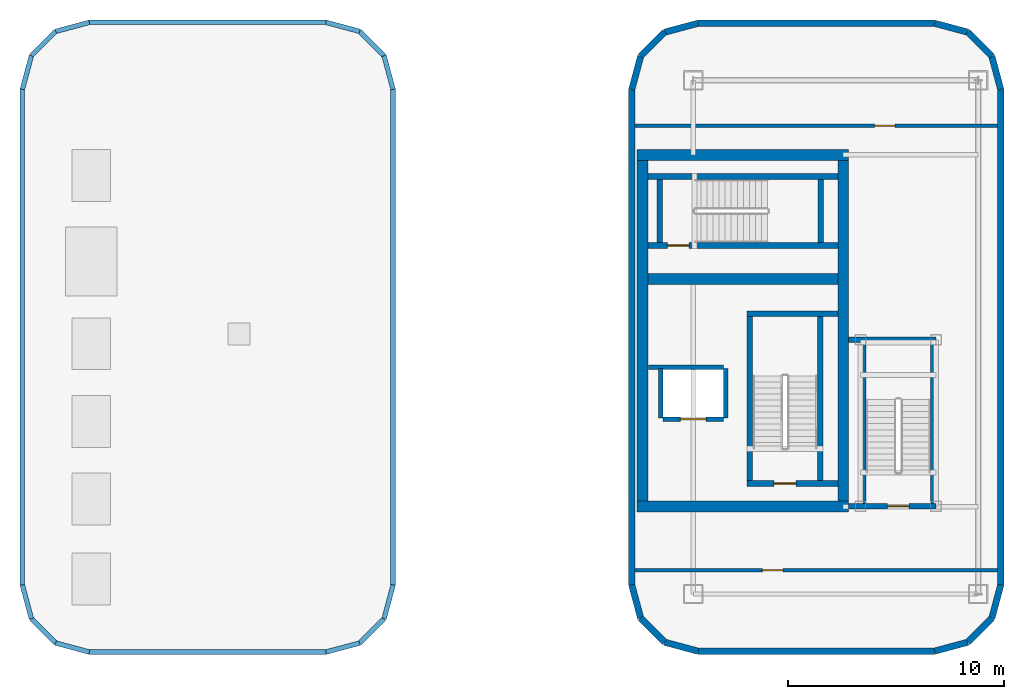
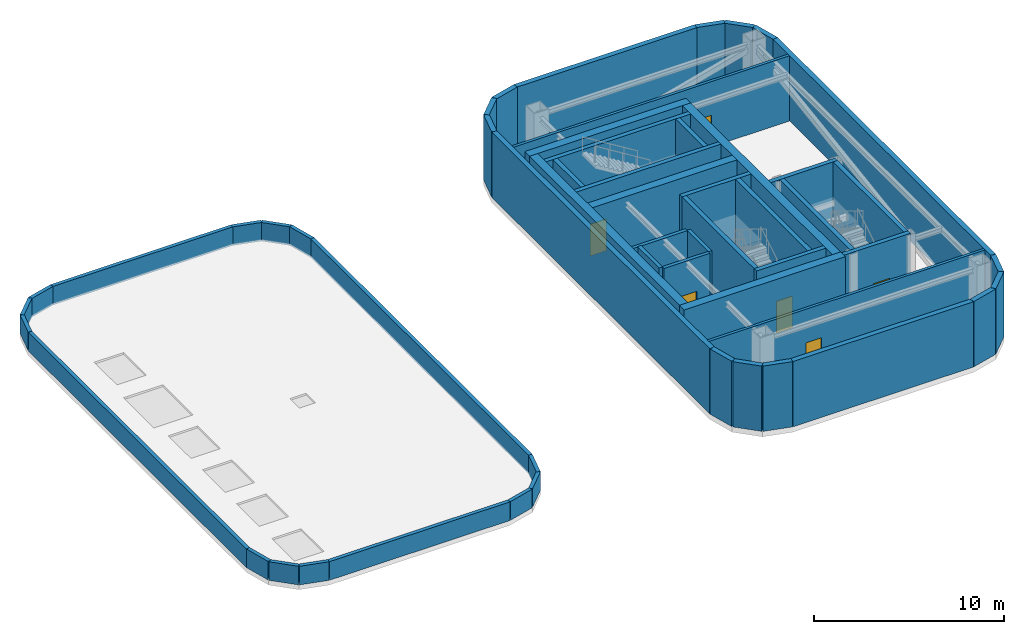
# One storey, part 3 of 6: 55 walls, 6 doors, 6 openings.
"""IFC4 building model written with IfcOpenShell, lengths in metres."""

from ifc_helpers import new_model, si_unit, direction, frame, frame_2d, origin, place, context, subcontext, project, spatial, rectangle, extrude, material, layer, layer_set, type_object, element, fill, save


model = new_model("IFC4")

# Units and contexts
model_context = context("Model", 3, precision=1e-05, world=origin(), true_north=direction((0.0, 1.0)))
body_context = subcontext(model_context, "Body", "Model", "MODEL_VIEW")
ifc_project = project(units=[si_unit("LENGTHUNIT", "METRE"), si_unit("AREAUNIT", "SQUARE_METRE"), si_unit("VOLUMEUNIT", "CUBIC_METRE"), si_unit("PLANEANGLEUNIT", "RADIAN"), si_unit("MASSUNIT", "GRAM", prefix="KILO")], contexts=[model_context])

# Site, building, storey
site_placement = place(None, origin())
site = spatial("IfcSite", under=ifc_project, at=site_placement, CompositionType="ELEMENT")
building_placement = place(site_placement, origin())
building = spatial("IfcBuilding", under=site, at=building_placement, Name="Kiyonajd Concourse Tower", CompositionType="ELEMENT")
storey_placement = place(building_placement, frame((0.0, 0.0, 368.39990234375)))
storey = spatial("IfcBuildingStorey", under=building, at=storey_placement, Name="L92", CompositionType="ELEMENT", Elevation=368.39990234375)

# Walls
ifc_material_1 = material(Name="Concrete C60/75", Category="concrete")
ifc_layer_1 = layer(ifc_material_1, 0.5)
ifc_layer_set_1 = layer_set([ifc_layer_1], Name="Concrete C60/75")
wall_type_1 = type_object("IfcWallType", Name="WL-CORE-500", PredefinedType="SHEAR", material=ifc_layer_set_1)
for number, where, z_axis, x_axis, name in (
    (1, (54.050048828125, 28.10009765625, 0.0), (0.0, 0.0, 1.0), (0.0, 1.0, 0.0), "L92 East Crown Inner Core Wall"),
    (2, (63.35009765625, 28.10009765625, 0.0), (0.0, 0.0, 1.0), (0.0, 1.0, 0.0), "L92 East Crown Outer Core Wall"),
):
    element("IfcWall", number, at=place(storey_placement, frame(where, z_axis=z_axis, x_axis=x_axis)), inside=storey, type_object=wall_type_1, Name=name, PredefinedType="SHEAR", context=body_context, shape_type="SweptSolid", body=[
        extrude(rectangle(XDim=15.7998046875, YDim=0.5, at=frame_2d((7.89990234375, 0.0))), origin(), (0.0, 0.0, 1.0), 4.5),
    ])
for number, where, z_axis, x_axis, name in (
    (3, (53.800048828125, 27.85009765625, 0.0), (0.0, 0.0, 1.0), (1.0, 0.0, 0.0), "L92 East Crown South Core Wall"),
    (4, (53.800048828125, 44.14990234375, 0.0), (0.0, 0.0, 1.0), (1.0, 0.0, 0.0), "L92 East Crown North Core Wall"),
):
    element("IfcWall", number, at=place(storey_placement, frame(where, z_axis=z_axis, x_axis=x_axis)), inside=storey, type_object=wall_type_1, Name=name, PredefinedType="SHEAR", context=body_context, shape_type="SweptSolid", body=[
        extrude(rectangle(XDim=9.800048828125, YDim=0.5, at=frame_2d((4.89990234375, 0.0))), origin(), (0.0, 0.0, 1.0), 4.5),
    ])
wall_1_placement = place(storey_placement, frame((54.300048828125, 38.39990234375, 0.0), z_axis=(0.0, 0.0, 1.0), x_axis=(1.0, 0.0, 0.0)))
element("IfcWall", 5, at=wall_1_placement, inside=storey, type_object=wall_type_1, Name="L92 East Crown Mast Cross Shear Wall", PredefinedType="SHEAR", context=body_context, shape_type="SweptSolid", body=[
    extrude(rectangle(XDim=8.800048828125, YDim=0.5, at=frame_2d((4.39990234375, 0.0))), origin(), (0.0, 0.0, 1.0), 4.5),
])
ifc_material_2 = material(Name="Precast concrete C50/60", Category="concrete")
ifc_layer_2 = layer(ifc_material_2, 0.300048828125)
ifc_layer_set_2 = layer_set([ifc_layer_2], Name="Precast concrete C50/60")
wall_type_2 = type_object("IfcWallType", Name="WL-CRN-300", PredefinedType="SOLIDWALL", material=ifc_layer_set_2)
wall_2_placement = place(storey_placement, frame((53.550048828125, 24.2197265625, 0.0), z_axis=(0.0, 0.0, 1.0), x_axis=(0.0, 1.0, 0.0)))
element("IfcWall", 6, at=wall_2_placement, inside=storey, type_object=wall_type_2, Name="L92 East Crown Enclosure Wall 01", PredefinedType="SOLIDWALL", context=body_context, shape_type="SweptSolid", body=[
    extrude(rectangle(XDim=22.96044921875, YDim=0.300048828125, at=frame_2d((11.480224609375, 0.0))), origin(), (0.0, 0.0, 1.0), 4.2001953125),
])
wall_3_placement = place(storey_placement, frame((53.550048828125, 47.18017578125, 0.0), z_axis=(0.0, 0.0, 1.0), x_axis=(0.258871110129, 0.965911874003, 0.0)))
element("IfcWall", 7, at=wall_3_placement, inside=storey, type_object=wall_type_2, Name="L92 East Crown Enclosure Wall 02", PredefinedType="SOLIDWALL", context=body_context, shape_type="SweptSolid", body=[
    extrude(rectangle(XDim=1.5966796875, YDim=0.300048828125, at=frame_2d((0.79833984375, 0.0))), origin(), (0.0, 0.0, 1.0), 4.2001953125),
])
wall_4_placement = place(storey_placement, frame((53.96337890625, 48.722412109375, 0.0), z_axis=(0.0, 0.0, 1.0), x_axis=(0.707184251115, 0.707029302769, 0.0)))
element("IfcWall", 8, at=wall_4_placement, inside=storey, type_object=wall_type_2, Name="L92 East Crown Enclosure Wall 03", PredefinedType="SOLIDWALL", context=body_context, shape_type="SweptSolid", body=[
    extrude(rectangle(XDim=1.57568359375, YDim=0.300048828125, at=frame_2d((0.787841796875, 0.0))), origin(), (0.0, 0.0, 1.0), 4.2001953125),
])
wall_5_placement = place(storey_placement, frame((55.07763671875, 49.83642578125, 0.0), z_axis=(0.0, 0.0, 1.0), x_axis=(0.96587363116, 0.259013761467, 0.0)))
element("IfcWall", 9, at=wall_5_placement, inside=storey, type_object=wall_type_2, Name="L92 East Crown Enclosure Wall 04", PredefinedType="SOLIDWALL", context=body_context, shape_type="SweptSolid", body=[
    extrude(rectangle(XDim=1.5966796875, YDim=0.300048828125, at=frame_2d((0.79833984375, 0.0))), origin(), (0.0, 0.0, 1.0), 4.2001953125),
])
wall_6_placement = place(storey_placement, frame((56.619873046875, 50.25, 0.0), z_axis=(0.0, 0.0, 1.0), x_axis=(1.0, 0.0, 0.0)))
element("IfcWall", 10, at=wall_6_placement, inside=storey, type_object=wall_type_2, Name="L92 East Crown Enclosure Wall 05", PredefinedType="SOLIDWALL", context=body_context, shape_type="SweptSolid", body=[
    extrude(rectangle(XDim=10.960205078125, YDim=0.300048828125, at=frame_2d((5.47998046875, 0.0))), origin(), (0.0, 0.0, 1.0), 4.2001953125),
])
wall_7_placement = place(storey_placement, frame((67.580078125, 50.25, 0.0), z_axis=(0.0, 0.0, 1.0), x_axis=(0.96587363116, -0.259013761467, 0.0)))
element("IfcWall", 11, at=wall_7_placement, inside=storey, type_object=wall_type_2, Name="L92 East Crown Enclosure Wall 06", PredefinedType="SOLIDWALL", context=body_context, shape_type="SweptSolid", body=[
    extrude(rectangle(XDim=1.5966796875, YDim=0.300048828125, at=frame_2d((0.79833984375, 0.0))), origin(), (0.0, 0.0, 1.0), 4.2001953125),
])
wall_8_placement = place(storey_placement, frame((69.122314453125, 49.83642578125, 0.0), z_axis=(0.0, 0.0, 1.0), x_axis=(0.707184251115, -0.707029302769, 0.0)))
element("IfcWall", 12, at=wall_8_placement, inside=storey, type_object=wall_type_2, Name="L92 East Crown Enclosure Wall 07", PredefinedType="SOLIDWALL", context=body_context, shape_type="SweptSolid", body=[
    extrude(rectangle(XDim=1.57568359375, YDim=0.300048828125, at=frame_2d((0.787841796875, 0.0))), origin(), (0.0, 0.0, 1.0), 4.2001953125),
])
wall_9_placement = place(storey_placement, frame((70.236572265625, 48.722412109375, 0.0), z_axis=(0.0, 0.0, 1.0), x_axis=(0.258871110129, -0.965911874003, 0.0)))
element("IfcWall", 13, at=wall_9_placement, inside=storey, type_object=wall_type_2, Name="L92 East Crown Enclosure Wall 08", PredefinedType="SOLIDWALL", context=body_context, shape_type="SweptSolid", body=[
    extrude(rectangle(XDim=1.5966796875, YDim=0.300048828125, at=frame_2d((0.79833984375, 0.0))), origin(), (0.0, 0.0, 1.0), 4.2001953125),
])
wall_10_placement = place(storey_placement, frame((70.64990234375, 47.18017578125, 0.0), z_axis=(0.0, 0.0, 1.0), x_axis=(0.0, -1.0, 0.0)))
element("IfcWall", 14, at=wall_10_placement, inside=storey, type_object=wall_type_2, Name="L92 East Crown Enclosure Wall 09", PredefinedType="SOLIDWALL", context=body_context, shape_type="SweptSolid", body=[
    extrude(rectangle(XDim=22.96044921875, YDim=0.300048828125, at=frame_2d((11.480224609375, 0.0))), origin(), (0.0, 0.0, 1.0), 4.2001953125),
])
wall_11_placement = place(storey_placement, frame((70.64990234375, 24.2197265625, 0.0), z_axis=(0.0, 0.0, 1.0), x_axis=(-0.258909349397, -0.965901624802, 0.0)))
element("IfcWall", 15, at=wall_11_placement, inside=storey, type_object=wall_type_2, Name="L92 East Crown Enclosure Wall 10", PredefinedType="SOLIDWALL", context=body_context, shape_type="SweptSolid", body=[
    extrude(rectangle(XDim=1.596435546875, YDim=0.300048828125, at=frame_2d((0.79833984375, 0.0))), origin(), (0.0, 0.0, 1.0), 4.2001953125),
])
wall_12_placement = place(storey_placement, frame((70.236572265625, 22.677734375, 0.0), z_axis=(0.0, 0.0, 1.0), x_axis=(-0.707106781187, -0.707106781187, 0.0)))
element("IfcWall", 16, at=wall_12_placement, inside=storey, type_object=wall_type_2, Name="L92 East Crown Enclosure Wall 11", PredefinedType="SOLIDWALL", context=body_context, shape_type="SweptSolid", body=[
    extrude(rectangle(XDim=1.57568359375, YDim=0.300048828125, at=frame_2d((0.787841796875, 0.0))), origin(), (0.0, 0.0, 1.0), 4.2001953125),
])
wall_13_placement = place(storey_placement, frame((69.122314453125, 21.5634765625, 0.0), z_axis=(0.0, 0.0, 1.0), x_axis=(-0.96587363116, -0.259013761467, 0.0)))
element("IfcWall", 17, at=wall_13_placement, inside=storey, type_object=wall_type_2, Name="L92 East Crown Enclosure Wall 12", PredefinedType="SOLIDWALL", context=body_context, shape_type="SweptSolid", body=[
    extrude(rectangle(XDim=1.5966796875, YDim=0.300048828125, at=frame_2d((0.79833984375, 0.0))), origin(), (0.0, 0.0, 1.0), 4.2001953125),
])
wall_14_placement = place(storey_placement, frame((67.580078125, 21.14990234375, 0.0), z_axis=(0.0, 0.0, 1.0), x_axis=(-1.0, 0.0, 0.0)))
element("IfcWall", 18, at=wall_14_placement, inside=storey, type_object=wall_type_2, Name="L92 East Crown Enclosure Wall 13", PredefinedType="SOLIDWALL", context=body_context, shape_type="SweptSolid", body=[
    extrude(rectangle(XDim=10.960205078125, YDim=0.300048828125, at=frame_2d((5.47998046875, 0.0))), origin(), (0.0, 0.0, 1.0), 4.2001953125),
])
wall_15_placement = place(storey_placement, frame((56.619873046875, 21.14990234375, 0.0), z_axis=(0.0, 0.0, 1.0), x_axis=(-0.96587363116, 0.259013761467, 0.0)))
element("IfcWall", 19, at=wall_15_placement, inside=storey, type_object=wall_type_2, Name="L92 East Crown Enclosure Wall 14", PredefinedType="SOLIDWALL", context=body_context, shape_type="SweptSolid", body=[
    extrude(rectangle(XDim=1.5966796875, YDim=0.300048828125, at=frame_2d((0.79833984375, 0.0))), origin(), (0.0, 0.0, 1.0), 4.2001953125),
])
wall_16_placement = place(storey_placement, frame((55.07763671875, 21.5634765625, 0.0), z_axis=(0.0, 0.0, 1.0), x_axis=(-0.707106781187, 0.707106781187, 0.0)))
element("IfcWall", 20, at=wall_16_placement, inside=storey, type_object=wall_type_2, Name="L92 East Crown Enclosure Wall 15", PredefinedType="SOLIDWALL", context=body_context, shape_type="SweptSolid", body=[
    extrude(rectangle(XDim=1.57568359375, YDim=0.300048828125, at=frame_2d((0.787841796875, 0.0))), origin(), (0.0, 0.0, 1.0), 4.2001953125),
])
wall_17_placement = place(storey_placement, frame((53.96337890625, 22.677734375, 0.0), z_axis=(0.0, 0.0, 1.0), x_axis=(-0.258909349397, 0.965901624802, 0.0)))
element("IfcWall", 21, at=wall_17_placement, inside=storey, type_object=wall_type_2, Name="L92 East Crown Enclosure Wall 16", PredefinedType="SOLIDWALL", context=body_context, shape_type="SweptSolid", body=[
    extrude(rectangle(XDim=1.596435546875, YDim=0.300048828125, at=frame_2d((0.79833984375, 0.0))), origin(), (0.0, 0.0, 1.0), 4.2001953125),
])
ifc_layer_3 = layer(ifc_material_2, 0.219970703125)
ifc_layer_set_3 = layer_set([ifc_layer_3], Name="Precast concrete C50/60")
wall_type_3 = type_object("IfcWallType", Name="WL-PAR-220", PredefinedType="PARAPET", material=ifc_layer_set_3)
wall_18_placement = place(storey_placement, frame((25.31005859375, 24.214599609375, 0.0), z_axis=(0.0, 0.0, 1.0), x_axis=(0.0, 1.0, 0.0)))
element("IfcWall", 22, at=wall_18_placement, inside=storey, type_object=wall_type_3, Name="L92 Roof Parapet Wall 01", PredefinedType="PARAPET", context=body_context, shape_type="SweptSolid", body=[
    extrude(rectangle(XDim=22.970947265625, YDim=0.219970703125, at=frame_2d((11.4853515625, 0.0))), origin(), (0.0, 0.0, 1.0), 1.2001953125),
])
wall_19_placement = place(storey_placement, frame((25.31005859375, 47.185546875, 0.0), z_axis=(0.0, 0.0, 1.0), x_axis=(0.258887433163, 0.965907499169, 0.0)))
element("IfcWall", 23, at=wall_19_placement, inside=storey, type_object=wall_type_3, Name="L92 Roof Parapet Wall 02", PredefinedType="PARAPET", context=body_context, shape_type="SweptSolid", body=[
    extrude(rectangle(XDim=1.612548828125, YDim=0.219970703125, at=frame_2d((0.80615234375, 0.0))), origin(), (0.0, 0.0, 1.0), 1.2001953125),
])
wall_20_placement = place(storey_placement, frame((25.7275390625, 48.7431640625, 0.0), z_axis=(0.0, 0.0, 1.0), x_axis=(0.707183212768, 0.707030341343, 0.0)))
element("IfcWall", 24, at=wall_20_placement, inside=storey, type_object=wall_type_3, Name="L92 Roof Parapet Wall 03", PredefinedType="PARAPET", context=body_context, shape_type="SweptSolid", body=[
    extrude(rectangle(XDim=1.596923828125, YDim=0.219970703125, at=frame_2d((0.79833984375, 0.0))), origin(), (0.0, 0.0, 1.0), 1.2001953125),
])
wall_21_placement = place(storey_placement, frame((26.85693359375, 49.872314453125, 0.0), z_axis=(0.0, 0.0, 1.0), x_axis=(0.965869632003, 0.259028674037, 0.0)))
element("IfcWall", 25, at=wall_21_placement, inside=storey, type_object=wall_type_3, Name="L92 Roof Parapet Wall 04", PredefinedType="PARAPET", context=body_context, shape_type="SweptSolid", body=[
    extrude(rectangle(XDim=1.612548828125, YDim=0.219970703125, at=frame_2d((0.80615234375, 0.0))), origin(), (0.0, 0.0, 1.0), 1.2001953125),
])
wall_22_placement = place(storey_placement, frame((28.41455078125, 50.2900390625, 0.0), z_axis=(0.0, 0.0, 1.0), x_axis=(1.0, 0.0, 0.0)))
element("IfcWall", 26, at=wall_22_placement, inside=storey, type_object=wall_type_3, Name="L92 Roof Parapet Wall 05", PredefinedType="PARAPET", context=body_context, shape_type="SweptSolid", body=[
    extrude(rectangle(XDim=10.970947265625, YDim=0.219970703125, at=frame_2d((5.4853515625, 0.0))), origin(), (0.0, 0.0, 1.0), 1.2001953125),
])
wall_23_placement = place(storey_placement, frame((39.385498046875, 50.2900390625, 0.0), z_axis=(0.0, 0.0, 1.0), x_axis=(0.965869632003, -0.259028674037, 0.0)))
element("IfcWall", 27, at=wall_23_placement, inside=storey, type_object=wall_type_3, Name="L92 Roof Parapet Wall 06", PredefinedType="PARAPET", context=body_context, shape_type="SweptSolid", body=[
    extrude(rectangle(XDim=1.612548828125, YDim=0.219970703125, at=frame_2d((0.80615234375, 0.0))), origin(), (0.0, 0.0, 1.0), 1.2001953125),
])
wall_24_placement = place(storey_placement, frame((40.943115234375, 49.872314453125, 0.0), z_axis=(0.0, 0.0, 1.0), x_axis=(0.707183212768, -0.707030341343, 0.0)))
element("IfcWall", 28, at=wall_24_placement, inside=storey, type_object=wall_type_3, Name="L92 Roof Parapet Wall 07", PredefinedType="PARAPET", context=body_context, shape_type="SweptSolid", body=[
    extrude(rectangle(XDim=1.596923828125, YDim=0.219970703125, at=frame_2d((0.79833984375, 0.0))), origin(), (0.0, 0.0, 1.0), 1.2001953125),
])
wall_25_placement = place(storey_placement, frame((42.072509765625, 48.7431640625, 0.0), z_axis=(0.0, 0.0, 1.0), x_axis=(0.258887433163, -0.965907499169, 0.0)))
element("IfcWall", 29, at=wall_25_placement, inside=storey, type_object=wall_type_3, Name="L92 Roof Parapet Wall 08", PredefinedType="PARAPET", context=body_context, shape_type="SweptSolid", body=[
    extrude(rectangle(XDim=1.612548828125, YDim=0.219970703125, at=frame_2d((0.80615234375, 0.0))), origin(), (0.0, 0.0, 1.0), 1.2001953125),
])
wall_26_placement = place(storey_placement, frame((42.489990234375, 47.185546875, 0.0), z_axis=(0.0, 0.0, 1.0), x_axis=(0.0, -1.0, 0.0)))
element("IfcWall", 30, at=wall_26_placement, inside=storey, type_object=wall_type_3, Name="L92 Roof Parapet Wall 09", PredefinedType="PARAPET", context=body_context, shape_type="SweptSolid", body=[
    extrude(rectangle(XDim=22.970947265625, YDim=0.219970703125, at=frame_2d((11.4853515625, 0.0))), origin(), (0.0, 0.0, 1.0), 1.2001953125),
])
wall_27_placement = place(storey_placement, frame((42.489990234375, 24.214599609375, 0.0), z_axis=(0.0, 0.0, 1.0), x_axis=(-0.258887433163, -0.965907499169, 0.0)))
element("IfcWall", 31, at=wall_27_placement, inside=storey, type_object=wall_type_3, Name="L92 Roof Parapet Wall 10", PredefinedType="PARAPET", context=body_context, shape_type="SweptSolid", body=[
    extrude(rectangle(XDim=1.612548828125, YDim=0.219970703125, at=frame_2d((0.80615234375, 0.0))), origin(), (0.0, 0.0, 1.0), 1.2001953125),
])
wall_28_placement = place(storey_placement, frame((42.072509765625, 22.656982421875, 0.0), z_axis=(0.0, 0.0, 1.0), x_axis=(-0.707106781187, -0.707106781187, 0.0)))
element("IfcWall", 32, at=wall_28_placement, inside=storey, type_object=wall_type_3, Name="L92 Roof Parapet Wall 11", PredefinedType="PARAPET", context=body_context, shape_type="SweptSolid", body=[
    extrude(rectangle(XDim=1.59716796875, YDim=0.219970703125, at=frame_2d((0.798583984375, 0.0))), origin(), (0.0, 0.0, 1.0), 1.2001953125),
])
wall_29_placement = place(storey_placement, frame((40.943115234375, 21.527587890625, 0.0), z_axis=(0.0, 0.0, 1.0), x_axis=(-0.965907499169, -0.258887433163, 0.0)))
element("IfcWall", 33, at=wall_29_placement, inside=storey, type_object=wall_type_3, Name="L92 Roof Parapet Wall 12", PredefinedType="PARAPET", context=body_context, shape_type="SweptSolid", body=[
    extrude(rectangle(XDim=1.612548828125, YDim=0.219970703125, at=frame_2d((0.80615234375, 0.0))), origin(), (0.0, 0.0, 1.0), 1.2001953125),
])
wall_30_placement = place(storey_placement, frame((39.385498046875, 21.110107421875, 0.0), z_axis=(0.0, 0.0, 1.0), x_axis=(-1.0, 0.0, 0.0)))
element("IfcWall", 34, at=wall_30_placement, inside=storey, type_object=wall_type_3, Name="L92 Roof Parapet Wall 13", PredefinedType="PARAPET", context=body_context, shape_type="SweptSolid", body=[
    extrude(rectangle(XDim=10.970947265625, YDim=0.219970703125, at=frame_2d((5.4853515625, 0.0))), origin(), (0.0, 0.0, 1.0), 1.2001953125),
])
wall_31_placement = place(storey_placement, frame((28.41455078125, 21.110107421875, 0.0), z_axis=(0.0, 0.0, 1.0), x_axis=(-0.965907499169, 0.258887433163, 0.0)))
element("IfcWall", 35, at=wall_31_placement, inside=storey, type_object=wall_type_3, Name="L92 Roof Parapet Wall 14", PredefinedType="PARAPET", context=body_context, shape_type="SweptSolid", body=[
    extrude(rectangle(XDim=1.612548828125, YDim=0.219970703125, at=frame_2d((0.80615234375, 0.0))), origin(), (0.0, 0.0, 1.0), 1.2001953125),
])
wall_32_placement = place(storey_placement, frame((26.85693359375, 21.527587890625, 0.0), z_axis=(0.0, 0.0, 1.0), x_axis=(-0.707106781187, 0.707106781187, 0.0)))
element("IfcWall", 36, at=wall_32_placement, inside=storey, type_object=wall_type_3, Name="L92 Roof Parapet Wall 15", PredefinedType="PARAPET", context=body_context, shape_type="SweptSolid", body=[
    extrude(rectangle(XDim=1.59716796875, YDim=0.219970703125, at=frame_2d((0.798583984375, 0.0))), origin(), (0.0, 0.0, 1.0), 1.2001953125),
])
wall_33_placement = place(storey_placement, frame((25.7275390625, 22.656982421875, 0.0), z_axis=(0.0, 0.0, 1.0), x_axis=(-0.258887433163, 0.965907499169, 0.0)))
element("IfcWall", 37, at=wall_33_placement, inside=storey, type_object=wall_type_3, Name="L92 Roof Parapet Wall 16", PredefinedType="PARAPET", context=body_context, shape_type="SweptSolid", body=[
    extrude(rectangle(XDim=1.612548828125, YDim=0.219970703125, at=frame_2d((0.80615234375, 0.0))), origin(), (0.0, 0.0, 1.0), 1.2001953125),
])

# Wall, opening, door
ifc_material_3 = material(Name="Gypsum Board on Cold-Formed Steel Stud", Category="steel")
ifc_layer_4 = layer(ifc_material_3, 0.2099609375)
ifc_layer_set_4 = layer_set([ifc_layer_4], Name="Gypsum Board on Cold-Formed Steel Stud")
wall_type_4 = type_object("IfcWallType", Name="WL-SHAFT-210", PredefinedType="PARTITIONING", material=ifc_layer_set_4)
wall_34_placement = place(storey_placement, frame((55.0, 31.89990234375, 0.0), z_axis=(0.0, 0.0, 1.0), x_axis=(1.0, 0.0, 0.0)))
wall_34 = element("IfcWall", 38, at=wall_34_placement, inside=storey, type_object=wall_type_4, Name="L92 Shaft Enclosure Wall", PredefinedType="PARTITIONING", context=body_context, shape_type="SweptSolid", body=[
    extrude(rectangle(XDim=2.800048828125, YDim=0.2099609375, at=frame_2d((1.39990234375, 0.0))), origin(), (0.0, 0.0, 1.0), 4.2001953125),
])
opening_1_placement = place(wall_34_placement, frame((0.800048828125, 0.0, 0.0)))
opening_1 = element("IfcOpeningElement", 39, at=opening_1_placement, cuts=wall_34, Name="Opening LD2", PredefinedType="OPENING", context=body_context, shape_type="SweptSolid", body=[
    extrude(rectangle(XDim=1.199951171875, YDim=2.0400390625, at=frame_2d((0.60009765625, 1.02001953125))), frame((0.0, 0.114990234375, 0.0), z_axis=(0.0, -1.0, 0.0), x_axis=(1.0, 0.0, 0.0)), (0.0, 0.0, 1.0), 0.22998046875),
])
ifc_material_4 = material(Name="Brushed Stainless Steel Cab Assembly", Category="steel")
door_type_1 = type_object("IfcDoorType", Name="DR-LD-1200", OperationType="DOUBLE_DOOR_SLIDING", PredefinedType="DOOR", material=ifc_material_4)
door_1_placement = place(opening_1_placement, origin())
door_1 = element("IfcDoor", 40, at=door_1_placement, inside=storey, type_object=door_type_1, Name="L92 Lift FFL2 Sliding Landing Door", OperationType="DOUBLE_DOOR_SLIDING", OverallHeight=2.0400390625, OverallWidth=1.199951171875, PredefinedType="DOOR", context=body_context, shape_type="SweptSolid", body=[
    extrude(rectangle(XDim=1.199951171875, YDim=2.0400390625, at=frame_2d((0.60009765625, 1.02001953125))), frame((0.0, 0.02490234375, 0.0), z_axis=(0.0, -1.0, 0.0), x_axis=(1.0, 0.0, 0.0)), (0.0, 0.0, 1.0), 0.050048828125),
])
fill(opening_1, door_1)

# Walls
wall_35_placement = place(storey_placement, frame((54.320068359375, 34.300048828125, 0.0), z_axis=(0.0, 0.0, 1.0), x_axis=(1.0, 0.0, 0.0)))
element("IfcWall", 41, at=wall_35_placement, inside=storey, type_object=wall_type_4, Name="L92 Shaft Enclosure Wall", PredefinedType="PARTITIONING", context=body_context, shape_type="SweptSolid", body=[
    extrude(rectangle(XDim=3.47998046875, YDim=0.2099609375, at=frame_2d((1.739990234375, 0.0))), origin(), (0.0, 0.0, 1.0), 4.2001953125),
])
for number, where, z_axis, x_axis, name in (
    (42, (54.89990234375, 31.9599609375, 0.0), (0.0, 0.0, 1.0), (0.0, 1.0, 0.0), "L92 Shaft Enclosure Wall"),
    (43, (57.89990234375, 31.9599609375, 0.0), (0.0, 0.0, 1.0), (0.0, 1.0, 0.0), "L92 Shaft Enclosure Wall"),
):
    element("IfcWall", number, at=place(storey_placement, frame(where, z_axis=z_axis, x_axis=x_axis)), inside=storey, type_object=wall_type_4, Name=name, PredefinedType="PARTITIONING", context=body_context, shape_type="SweptSolid", body=[
        extrude(rectangle(XDim=2.280029296875, YDim=0.2099609375, at=frame_2d((1.14013671875, 0.0))), origin(), (0.0, 0.0, 1.0), 4.2001953125),
    ])

# Wall, opening, door
ifc_layer_5 = layer(ifc_material_3, 0.169921875)
ifc_layer_set_5 = layer_set([ifc_layer_5], Name="Gypsum Board on Cold-Formed Steel Stud")
wall_type_5 = type_object("IfcWallType", Name="WL-SMK-170", PredefinedType="PARTITIONING", material=ifc_layer_set_5)
wall_36_placement = place(storey_placement, frame((53.695068359375, 24.89990234375, 0.0), z_axis=(0.0, 0.0, 1.0), x_axis=(1.0, 0.0, 0.0)))
wall_36 = element("IfcWall", 44, at=wall_36_placement, inside=storey, type_object=wall_type_5, Name="L92 Interior Partition Wall", PredefinedType="PARTITIONING", context=body_context, shape_type="SweptSolid", body=[
    extrude(rectangle(XDim=16.809814453125, YDim=0.169921875, at=frame_2d((8.40478515625, 0.0))), origin(), (0.0, 0.0, 1.0), 4.2001953125),
])
opening_2_placement = place(wall_36_placement, frame((5.905029296875, 0.0, 0.0)))
opening_2 = element("IfcOpeningElement", 45, at=opening_2_placement, cuts=wall_36, Name="Opening DF3", PredefinedType="OPENING", context=body_context, shape_type="SweptSolid", body=[
    extrude(rectangle(XDim=0.949951171875, YDim=2.0400390625, at=frame_2d((0.47509765625, 1.02001953125))), frame((0.0, 0.094970703125, 0.0), z_axis=(0.0, -1.0, 0.0), x_axis=(1.0, 0.0, 0.0)), (0.0, 0.0, 1.0), 0.18994140625),
])
door_type_2 = type_object("IfcDoorType", Name="DR-FD60-950", OperationType="NOTDEFINED", PredefinedType="DOOR", material=ifc_material_4)
door_2_placement = place(opening_2_placement, origin())
door_2 = element("IfcDoor", 46, at=door_2_placement, inside=storey, type_object=door_type_2, Name="L92 Interior Door", OperationType="SINGLE_SWING_RIGHT", OverallHeight=2.0400390625, OverallWidth=0.949951171875, PredefinedType="DOOR", context=body_context, shape_type="SweptSolid", body=[
    extrude(rectangle(XDim=0.949951171875, YDim=2.0400390625, at=frame_2d((0.47509765625, 1.02001953125))), frame((0.0, 0.02490234375, 0.0), z_axis=(0.0, -1.0, 0.0), x_axis=(1.0, 0.0, 0.0)), (0.0, 0.0, 1.0), 0.050048828125),
])
fill(opening_2, door_2)

wall_37_placement = place(storey_placement, frame((53.695068359375, 45.5, 0.0), z_axis=(0.0, 0.0, 1.0), x_axis=(1.0, 0.0, 0.0)))
wall_37 = element("IfcWall", 47, at=wall_37_placement, inside=storey, type_object=wall_type_5, Name="L92 Interior Partition Wall", PredefinedType="PARTITIONING", context=body_context, shape_type="SweptSolid", body=[
    extrude(rectangle(XDim=16.809814453125, YDim=0.169921875, at=frame_2d((8.40478515625, 0.0))), origin(), (0.0, 0.0, 1.0), 4.2001953125),
])
opening_3_placement = place(wall_37_placement, frame((11.10498046875, 0.0, 0.0)))
opening_3 = element("IfcOpeningElement", 48, at=opening_3_placement, cuts=wall_37, Name="Opening DF3", PredefinedType="OPENING", context=body_context, shape_type="SweptSolid", body=[
    extrude(rectangle(XDim=0.949951171875, YDim=2.0400390625, at=frame_2d((0.47509765625, 1.02001953125))), frame((0.0, 0.094970703125, 0.0), z_axis=(0.0, -1.0, 0.0), x_axis=(1.0, 0.0, 0.0)), (0.0, 0.0, 1.0), 0.18994140625),
])
door_3_placement = place(opening_3_placement, origin())
door_3 = element("IfcDoor", 49, at=door_3_placement, inside=storey, type_object=door_type_2, Name="L92 Interior Door", OperationType="SINGLE_SWING_LEFT", OverallHeight=2.0400390625, OverallWidth=0.949951171875, PredefinedType="DOOR", context=body_context, shape_type="SweptSolid", body=[
    extrude(rectangle(XDim=0.949951171875, YDim=2.0400390625, at=frame_2d((0.47509765625, 1.02001953125))), frame((0.0, 0.02490234375, 0.0), z_axis=(0.0, -1.0, 0.0), x_axis=(1.0, 0.0, 0.0)), (0.0, 0.0, 1.0), 0.050048828125),
])
fill(opening_3, door_3)

ifc_material_5 = material(Name="Concrete C50/60", Category="concrete")
ifc_layer_6 = layer(ifc_material_5, 0.260009765625)
ifc_layer_set_6 = layer_set([ifc_layer_6], Name="Concrete C50/60")
wall_type_6 = type_object("IfcWallType", Name="WL-STAIR-260", PredefinedType="SHEAR", material=ifc_layer_set_6)
wall_38_placement = place(storey_placement, frame((58.889892578125, 28.919921875, 0.0), z_axis=(0.0, 0.0, 1.0), x_axis=(1.0, 0.0, 0.0)))
wall_38 = element("IfcWall", 50, at=wall_38_placement, inside=storey, type_object=wall_type_6, Name="L92 Stair ST2 Structural South Wall", PredefinedType="SHEAR", context=body_context, shape_type="SweptSolid", body=[
    extrude(rectangle(XDim=4.210205078125, YDim=0.260009765625, at=frame_2d((2.10498046875, 0.0))), origin(), (0.0, 0.0, 1.0), 4.5),
])
opening_4_placement = place(wall_38_placement, frame((1.260009765625, 0.0, 0.0)))
opening_4 = element("IfcOpeningElement", 51, at=opening_4_placement, cuts=wall_38, Name="Opening DF1", PredefinedType="OPENING", context=body_context, shape_type="SweptSolid", body=[
    extrude(rectangle(XDim=1.0, YDim=2.0400390625, at=frame_2d((0.5, 1.02001953125))), frame((0.0, 0.139892578125, 0.0), z_axis=(0.0, -1.0, 0.0), x_axis=(1.0, 0.0, 0.0)), (0.0, 0.0, 1.0), 0.280029296875),
])
door_type_3 = type_object("IfcDoorType", Name="DR-FD90-1000", OperationType="NOTDEFINED", PredefinedType="DOOR", material=ifc_material_4)
door_4_placement = place(opening_4_placement, origin())
door_4 = element("IfcDoor", 52, at=door_4_placement, inside=storey, type_object=door_type_3, Name="L92 Stair ST2 Enclosure Door", OperationType="SINGLE_SWING_RIGHT", OverallHeight=2.0400390625, OverallWidth=1.0, PredefinedType="DOOR", context=body_context, shape_type="SweptSolid", body=[
    extrude(rectangle(XDim=1.0, YDim=2.0400390625, at=frame_2d((0.5, 1.02001953125))), frame((0.0, 0.02490234375, 0.0), z_axis=(0.0, -1.0, 0.0), x_axis=(1.0, 0.0, 0.0)), (0.0, 0.0, 1.0), 0.050048828125),
])
fill(opening_4, door_4)

# Walls
wall_39_placement = place(storey_placement, frame((58.889892578125, 36.780029296875, 0.0), z_axis=(0.0, 0.0, 1.0), x_axis=(1.0, 0.0, 0.0)))
element("IfcWall", 53, at=wall_39_placement, inside=storey, type_object=wall_type_6, Name="L92 Stair ST2 Structural North Wall", PredefinedType="SHEAR", context=body_context, shape_type="SweptSolid", body=[
    extrude(rectangle(XDim=4.210205078125, YDim=0.260009765625, at=frame_2d((2.10498046875, 0.0))), origin(), (0.0, 0.0, 1.0), 4.5),
])
for number, where, z_axis, x_axis, name in (
    (54, (59.02001953125, 29.050048828125, 0.0), (0.0, 0.0, 1.0), (0.0, 1.0, 0.0), "L92 Stair ST2 Structural West Wall"),
    (55, (62.280029296875, 29.050048828125, 0.0), (0.0, 0.0, 1.0), (0.0, 1.0, 0.0), "L92 Stair ST2 Structural East Wall"),
):
    element("IfcWall", number, at=place(storey_placement, frame(where, z_axis=z_axis, x_axis=x_axis)), inside=storey, type_object=wall_type_6, Name=name, PredefinedType="SHEAR", context=body_context, shape_type="SweptSolid", body=[
        extrude(rectangle(XDim=7.599853515625, YDim=0.260009765625, at=frame_2d((3.7998046875, 0.0))), origin(), (0.0, 0.0, 1.0), 4.5),
    ])

# Wall, opening, door
wall_40_placement = place(storey_placement, frame((54.300048828125, 39.949951171875, 0.0), z_axis=(0.0, 0.0, 1.0), x_axis=(1.0, 0.0, 0.0)))
wall_40 = element("IfcWall", 56, at=wall_40_placement, inside=storey, type_object=wall_type_6, Name="L92 Stair ST3 Structural South Wall", PredefinedType="SHEAR", context=body_context, shape_type="SweptSolid", body=[
    extrude(rectangle(XDim=8.800048828125, YDim=0.260009765625, at=frame_2d((4.39990234375, 0.0))), origin(), (0.0, 0.0, 1.0), 4.5),
])
opening_5_placement = place(wall_40_placement, frame((0.89990234375, 0.0, 0.0)))
opening_5 = element("IfcOpeningElement", 57, at=opening_5_placement, cuts=wall_40, Name="Opening DF1", PredefinedType="OPENING", context=body_context, shape_type="SweptSolid", body=[
    extrude(rectangle(XDim=1.0, YDim=2.0400390625, at=frame_2d((0.5, 1.02001953125))), frame((0.0, 0.139892578125, 0.0), z_axis=(0.0, -1.0, 0.0), x_axis=(1.0, 0.0, 0.0)), (0.0, 0.0, 1.0), 0.280029296875),
])
door_5_placement = place(opening_5_placement, origin())
door_5 = element("IfcDoor", 58, at=door_5_placement, inside=storey, type_object=door_type_3, Name="L92 Stair ST3 Enclosure Door", OperationType="SINGLE_SWING_LEFT", OverallHeight=2.0400390625, OverallWidth=1.0, PredefinedType="DOOR", context=body_context, shape_type="SweptSolid", body=[
    extrude(rectangle(XDim=1.0, YDim=2.0400390625, at=frame_2d((0.5, 1.02001953125))), frame((0.0, 0.02490234375, 0.0), z_axis=(0.0, -1.0, 0.0), x_axis=(1.0, 0.0, 0.0)), (0.0, 0.0, 1.0), 0.050048828125),
])
fill(opening_5, door_5)

# Walls
wall_41_placement = place(storey_placement, frame((54.300048828125, 43.14990234375, 0.0), z_axis=(0.0, 0.0, 1.0), x_axis=(1.0, 0.0, 0.0)))
element("IfcWall", 59, at=wall_41_placement, inside=storey, type_object=wall_type_6, Name="L92 Stair ST3 Structural North Wall", PredefinedType="SHEAR", context=body_context, shape_type="SweptSolid", body=[
    extrude(rectangle(XDim=8.800048828125, YDim=0.260009765625, at=frame_2d((4.39990234375, 0.0))), origin(), (0.0, 0.0, 1.0), 4.5),
])
for number, where, z_axis, x_axis, name in (
    (60, (54.85009765625, 40.080078125, 0.0), (0.0, 0.0, 1.0), (0.0, 1.0, 0.0), "L92 Stair ST3 Structural West Wall"),
    (61, (62.31005859375, 40.080078125, 0.0), (0.0, 0.0, 1.0), (0.0, 1.0, 0.0), "L92 Stair ST3 Structural East Wall"),
):
    element("IfcWall", number, at=place(storey_placement, frame(where, z_axis=z_axis, x_axis=x_axis)), inside=storey, type_object=wall_type_6, Name=name, PredefinedType="SHEAR", context=body_context, shape_type="SweptSolid", body=[
        extrude(rectangle(XDim=2.93994140625, YDim=0.260009765625, at=frame_2d((1.469970703125, 0.0))), origin(), (0.0, 0.0, 1.0), 4.5),
    ])

# Wall, opening, door
wall_42_placement = place(storey_placement, frame((63.60009765625, 27.8701171875, 0.0), z_axis=(0.0, 0.0, 1.0), x_axis=(1.0, 0.0, 0.0)))
wall_42 = element("IfcWall", 62, at=wall_42_placement, inside=storey, type_object=wall_type_6, Name="L92 Stair ST6 Structural South Wall", PredefinedType="SHEAR", context=body_context, shape_type="SweptSolid", body=[
    extrude(rectangle(XDim=4.059814453125, YDim=0.260009765625, at=frame_2d((2.02978515625, 0.0))), origin(), (0.0, 0.0, 1.0), 4.5),
])
opening_6_placement = place(wall_42_placement, frame((1.800048828125, 0.0, 0.0)))
opening_6 = element("IfcOpeningElement", 63, at=opening_6_placement, cuts=wall_42, Name="Opening DF1", PredefinedType="OPENING", context=body_context, shape_type="SweptSolid", body=[
    extrude(rectangle(XDim=1.0, YDim=2.0400390625, at=frame_2d((0.5, 1.02001953125))), frame((0.0, 0.139892578125, 0.0), z_axis=(0.0, -1.0, 0.0), x_axis=(1.0, 0.0, 0.0)), (0.0, 0.0, 1.0), 0.280029296875),
])
door_6_placement = place(opening_6_placement, origin())
door_6 = element("IfcDoor", 64, at=door_6_placement, inside=storey, type_object=door_type_3, Name="L92 Stair ST6 Enclosure Door", OperationType="SINGLE_SWING_RIGHT", OverallHeight=2.0400390625, OverallWidth=1.0, PredefinedType="DOOR", context=body_context, shape_type="SweptSolid", body=[
    extrude(rectangle(XDim=1.0, YDim=2.0400390625, at=frame_2d((0.5, 1.02001953125))), frame((0.0, 0.02490234375, 0.0), z_axis=(0.0, -1.0, 0.0), x_axis=(1.0, 0.0, 0.0)), (0.0, 0.0, 1.0), 0.050048828125),
])
fill(opening_6, door_6)

# Walls
wall_43_placement = place(storey_placement, frame((63.60009765625, 35.580078125, 0.0), z_axis=(0.0, 0.0, 1.0), x_axis=(1.0, 0.0, 0.0)))
element("IfcWall", 65, at=wall_43_placement, inside=storey, type_object=wall_type_6, Name="L92 Stair ST6 Structural North Wall", PredefinedType="SHEAR", context=body_context, shape_type="SweptSolid", body=[
    extrude(rectangle(XDim=4.059814453125, YDim=0.260009765625, at=frame_2d((2.02978515625, 0.0))), origin(), (0.0, 0.0, 1.0), 4.5),
])
for number, where, z_axis, x_axis, name in (
    (66, (64.27001953125, 28.0, 0.0), (0.0, 0.0, 1.0), (0.0, 1.0, 0.0), "L92 Stair ST6 Structural West Wall"),
    (67, (67.530029296875, 28.0, 0.0), (0.0, 0.0, 1.0), (0.0, 1.0, 0.0), "L92 Stair ST6 Structural East Wall"),
):
    element("IfcWall", number, at=place(storey_placement, frame(where, z_axis=z_axis, x_axis=x_axis)), inside=storey, type_object=wall_type_6, Name=name, PredefinedType="SHEAR", context=body_context, shape_type="SweptSolid", body=[
        extrude(rectangle(XDim=7.449951171875, YDim=0.260009765625, at=frame_2d((3.72509765625, 0.0))), origin(), (0.0, 0.0, 1.0), 4.5),
    ])

save(model, "model.ifc")
